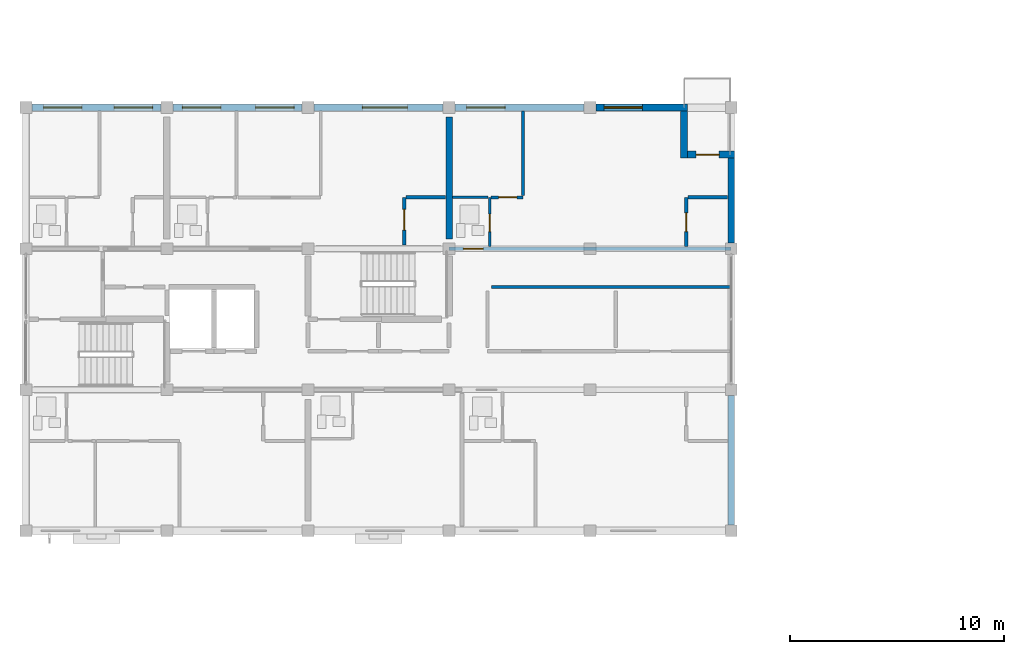
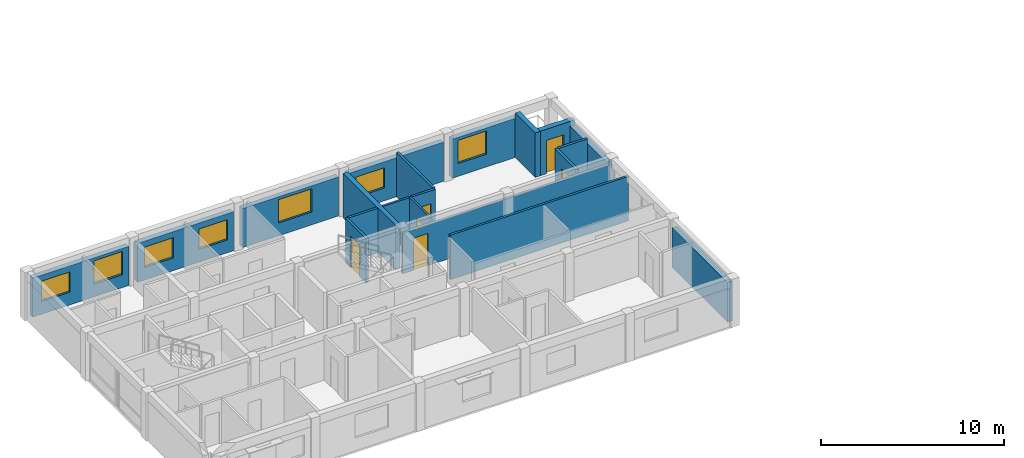
# One storey, part 36 of 53: 20 walls, 7 windows, 6 doors, 13 openings.
"""IFC4 building model written with IfcOpenShell, lengths in metres."""

from ifc_helpers import new_model, si_unit, direction, frame, frame_2d, origin, place, context, subcontext, project, spatial, rectangle, extrude, material, layer, layer_set, type_object, element, fill, save


model = new_model("IFC4")

# Units and contexts
model_context = context("Model", 3, precision=1e-05, world=origin(), true_north=direction((0.0, 1.0)))
body_context = subcontext(model_context, "Body", "Model", "MODEL_VIEW")
ifc_project = project(units=[si_unit("LENGTHUNIT", "METRE"), si_unit("AREAUNIT", "SQUARE_METRE"), si_unit("VOLUMEUNIT", "CUBIC_METRE"), si_unit("PLANEANGLEUNIT", "RADIAN"), si_unit("MASSUNIT", "GRAM", prefix="KILO")], contexts=[model_context])

# Site, building, storey
site_placement = place(None, origin())
site = spatial("IfcSite", under=ifc_project, at=site_placement, CompositionType="ELEMENT")
building_placement = place(site_placement, origin())
building = spatial("IfcBuilding", under=site, at=building_placement, Name="Kernevlak Ridge Housing Community", CompositionType="ELEMENT")
storey_placement = place(building_placement, frame((0.0, 0.0, 24.39990234375)))
storey = spatial("IfcBuildingStorey", under=building, at=storey_placement, Name="L07", CompositionType="ELEMENT", Elevation=24.39990234375)

# Wall, openings, windows
ifc_material_1 = material(Name="Concrete block masonry M10", Category="masonry")
ifc_layer_1 = layer(ifc_material_1, 0.320068359375, Name="Concrete block masonry M10")
ifc_layer_set_1 = layer_set([ifc_layer_1], Name="Concrete block masonry M10")
wall_type_1 = type_object("IfcWallType", Name="EW-02", PredefinedType="STANDARD", material=ifc_layer_set_1)
wall_1_placement = place(storey_placement, frame((15.875, 95.800048828125, 0.0), z_axis=(0.0, 0.0, 1.0), x_axis=(1.0, 0.0, 0.0)))
wall_1 = element("IfcWall", 1, at=wall_1_placement, inside=storey, type_object=wall_type_1, Name="Exterior wall EW-02 L07 114", PredefinedType="STANDARD", context=body_context, shape_type="SweptSolid", body=[
    extrude(rectangle(XDim=6.050048828125, YDim=0.320068359375, at=frame_2d((3.02490234375, 0.0))), origin(), (0.0, 0.0, 1.0), 2.60009765625),
])
opening_1_placement = place(wall_1_placement, frame((0.550048828125, 0.0, 0.85009765625)))
opening_1 = element("IfcOpeningElement", 2, at=opening_1_placement, cuts=wall_1, Name="Opening WT-03", PredefinedType="OPENING", context=body_context, shape_type="SweptSolid", body=[
    extrude(rectangle(XDim=1.800048828125, YDim=1.35009765625, at=frame_2d((0.89990234375, 0.675048828125))), frame((0.0, 0.169921875, 0.0), z_axis=(0.0, -1.0, 0.0), x_axis=(1.0, 0.0, 0.0)), (0.0, 0.0, 1.0), 0.340087890625),
])
opening_2_placement = place(wall_1_placement, frame((3.85009765625, 0.0, 0.85009765625)))
opening_2 = element("IfcOpeningElement", 3, at=opening_2_placement, cuts=wall_1, Name="Opening WT-04", PredefinedType="OPENING", context=body_context, shape_type="SweptSolid", body=[
    extrude(rectangle(XDim=1.800048828125, YDim=1.550048828125, at=frame_2d((0.89990234375, 0.77490234375))), frame((0.0, 0.169921875, 0.0), z_axis=(0.0, -1.0, 0.0), x_axis=(1.0, 0.0, 0.0)), (0.0, 0.0, 1.0), 0.340087890625),
])
ifc_material_2 = material(Name="Aluminium EN AW-6060 anodised and laminated glass", Category="aluminium")
window_type_1 = type_object("IfcWindowType", Name="WT-03", PartitioningType="SINGLE_PANEL", PredefinedType="WINDOW", material=ifc_material_2)
window_1_placement = place(opening_1_placement, origin())
window_1 = element("IfcWindow", 4, at=window_1_placement, inside=storey, type_object=window_type_1, Name="Window WT-03 L07 89", OverallHeight=1.35009765625, OverallWidth=1.800048828125, PartitioningType="SINGLE_PANEL", PredefinedType="WINDOW", context=body_context, shape_type="SweptSolid", body=[
    extrude(rectangle(XDim=1.800048828125, YDim=1.35009765625, at=frame_2d((0.89990234375, 0.675048828125))), frame((0.0, 0.030029296875, 0.0), z_axis=(0.0, -1.0, 0.0), x_axis=(1.0, 0.0, 0.0)), (0.0, 0.0, 1.0), 0.06005859375),
])
fill(opening_1, window_1)
window_type_2 = type_object("IfcWindowType", Name="WT-04", PartitioningType="SINGLE_PANEL", PredefinedType="WINDOW", material=ifc_material_2)
window_2_placement = place(opening_2_placement, origin())
window_2 = element("IfcWindow", 5, at=window_2_placement, inside=storey, type_object=window_type_2, Name="Window WT-04 L07 90", OverallHeight=1.550048828125, OverallWidth=1.800048828125, PartitioningType="SINGLE_PANEL", PredefinedType="WINDOW", context=body_context, shape_type="SweptSolid", body=[
    extrude(rectangle(XDim=1.800048828125, YDim=1.550048828125, at=frame_2d((0.89990234375, 0.77490234375))), frame((0.0, 0.030029296875, 0.0), z_axis=(0.0, -1.0, 0.0), x_axis=(1.0, 0.0, 0.0)), (0.0, 0.0, 1.0), 0.06005859375),
])
fill(opening_2, window_2)

wall_2_placement = place(storey_placement, frame((22.47509765625, 95.800048828125, 0.0), z_axis=(0.0, 0.0, 1.0), x_axis=(1.0, 0.0, 0.0)))
wall_2 = element("IfcWall", 6, at=wall_2_placement, inside=storey, type_object=wall_type_1, Name="Exterior wall EW-02 L07 115", PredefinedType="STANDARD", context=body_context, shape_type="SweptSolid", body=[
    extrude(rectangle(XDim=6.0498046875, YDim=0.320068359375, at=frame_2d((3.02490234375, 0.0))), origin(), (0.0, 0.0, 1.0), 2.60009765625),
])
opening_3_placement = place(wall_2_placement, frame((0.449951171875, 0.0, 0.85009765625)))
opening_3 = element("IfcOpeningElement", 7, at=opening_3_placement, cuts=wall_2, Name="Opening WT-03", PredefinedType="OPENING", context=body_context, shape_type="SweptSolid", body=[
    extrude(rectangle(XDim=1.800048828125, YDim=1.35009765625, at=frame_2d((0.89990234375, 0.675048828125))), frame((0.0, 0.169921875, 0.0), z_axis=(0.0, -1.0, 0.0), x_axis=(1.0, 0.0, 0.0)), (0.0, 0.0, 1.0), 0.340087890625),
])
opening_4_placement = place(wall_2_placement, frame((3.875, 0.0, 0.85009765625)))
opening_4 = element("IfcOpeningElement", 8, at=opening_4_placement, cuts=wall_2, Name="Opening WT-03", PredefinedType="OPENING", context=body_context, shape_type="SweptSolid", body=[
    extrude(rectangle(XDim=1.800048828125, YDim=1.35009765625, at=frame_2d((0.89990234375, 0.675048828125))), frame((0.0, 0.169921875, 0.0), z_axis=(0.0, -1.0, 0.0), x_axis=(1.0, 0.0, 0.0)), (0.0, 0.0, 1.0), 0.340087890625),
])
window_3_placement = place(opening_3_placement, origin())
window_3 = element("IfcWindow", 9, at=window_3_placement, inside=storey, type_object=window_type_1, Name="Window WT-03 L07 91", OverallHeight=1.35009765625, OverallWidth=1.800048828125, PartitioningType="SINGLE_PANEL", PredefinedType="WINDOW", context=body_context, shape_type="SweptSolid", body=[
    extrude(rectangle(XDim=1.800048828125, YDim=1.35009765625, at=frame_2d((0.89990234375, 0.675048828125))), frame((0.0, 0.030029296875, 0.0), z_axis=(0.0, -1.0, 0.0), x_axis=(1.0, 0.0, 0.0)), (0.0, 0.0, 1.0), 0.06005859375),
])
fill(opening_3, window_3)
window_4_placement = place(opening_4_placement, origin())
window_4 = element("IfcWindow", 10, at=window_4_placement, inside=storey, type_object=window_type_1, Name="Window WT-03 L07 92", OverallHeight=1.35009765625, OverallWidth=1.800048828125, PartitioningType="SINGLE_PANEL", PredefinedType="WINDOW", context=body_context, shape_type="SweptSolid", body=[
    extrude(rectangle(XDim=1.800048828125, YDim=1.35009765625, at=frame_2d((0.89990234375, 0.675048828125))), frame((0.0, 0.030029296875, 0.0), z_axis=(0.0, -1.0, 0.0), x_axis=(1.0, 0.0, 0.0)), (0.0, 0.0, 1.0), 0.06005859375),
])
fill(opening_4, window_4)

# Wall, opening, window
wall_3_placement = place(storey_placement, frame((29.074951171875, 95.800048828125, 0.0), z_axis=(0.0, 0.0, 1.0), x_axis=(1.0, 0.0, 0.0)))
wall_3 = element("IfcWall", 11, at=wall_3_placement, inside=storey, type_object=wall_type_1, Name="Exterior wall EW-02 L07 116", PredefinedType="STANDARD", context=body_context, shape_type="SweptSolid", body=[
    extrude(rectangle(XDim=6.050048828125, YDim=0.320068359375, at=frame_2d((3.02490234375, 0.0))), origin(), (0.0, 0.0, 1.0), 2.60009765625),
])
opening_5_placement = place(wall_3_placement, frame((2.27099609375, 0.0, 0.85009765625)))
opening_5 = element("IfcOpeningElement", 12, at=opening_5_placement, cuts=wall_3, Name="Opening WT-05", PredefinedType="OPENING", context=body_context, shape_type="SweptSolid", body=[
    extrude(rectangle(XDim=2.10009765625, YDim=1.550048828125, at=frame_2d((1.050048828125, 0.77490234375))), frame((0.0, 0.169921875, 0.0), z_axis=(0.0, -1.0, 0.0), x_axis=(1.0, 0.0, 0.0)), (0.0, 0.0, 1.0), 0.340087890625),
])
window_type_3 = type_object("IfcWindowType", Name="WT-05", PartitioningType="SINGLE_PANEL", PredefinedType="WINDOW", material=ifc_material_2)
window_5_placement = place(opening_5_placement, origin())
window_5 = element("IfcWindow", 13, at=window_5_placement, inside=storey, type_object=window_type_3, Name="Window WT-05 L07 93", OverallHeight=1.550048828125, OverallWidth=2.10009765625, PartitioningType="SINGLE_PANEL", PredefinedType="WINDOW", context=body_context, shape_type="SweptSolid", body=[
    extrude(rectangle(XDim=2.10009765625, YDim=1.550048828125, at=frame_2d((1.050048828125, 0.77490234375))), frame((0.0, 0.030029296875, 0.0), z_axis=(0.0, -1.0, 0.0), x_axis=(1.0, 0.0, 0.0)), (0.0, 0.0, 1.0), 0.06005859375),
])
fill(opening_5, window_5)

wall_4_placement = place(storey_placement, frame((35.675048828125, 95.800048828125, 0.0), z_axis=(0.0, 0.0, 1.0), x_axis=(1.0, 0.0, 0.0)))
wall_4 = element("IfcWall", 14, at=wall_4_placement, inside=storey, type_object=wall_type_1, Name="Exterior wall EW-02 L07 117", PredefinedType="STANDARD", context=body_context, shape_type="SweptSolid", body=[
    extrude(rectangle(XDim=6.050048828125, YDim=0.320068359375, at=frame_2d((3.02490234375, 0.0))), origin(), (0.0, 0.0, 1.0), 2.60009765625),
])
opening_6_placement = place(wall_4_placement, frame((0.550048828125, 0.0, 0.85009765625)))
opening_6 = element("IfcOpeningElement", 15, at=opening_6_placement, cuts=wall_4, Name="Opening WT-03", PredefinedType="OPENING", context=body_context, shape_type="SweptSolid", body=[
    extrude(rectangle(XDim=1.800048828125, YDim=1.35009765625, at=frame_2d((0.89990234375, 0.675048828125))), frame((0.0, 0.169921875, 0.0), z_axis=(0.0, -1.0, 0.0), x_axis=(1.0, 0.0, 0.0)), (0.0, 0.0, 1.0), 0.340087890625),
])
window_6_placement = place(opening_6_placement, origin())
window_6 = element("IfcWindow", 16, at=window_6_placement, inside=storey, type_object=window_type_1, Name="Window WT-03 L07 94", OverallHeight=1.35009765625, OverallWidth=1.800048828125, PartitioningType="SINGLE_PANEL", PredefinedType="WINDOW", context=body_context, shape_type="SweptSolid", body=[
    extrude(rectangle(XDim=1.800048828125, YDim=1.35009765625, at=frame_2d((0.89990234375, 0.675048828125))), frame((0.0, 0.030029296875, 0.0), z_axis=(0.0, -1.0, 0.0), x_axis=(1.0, 0.0, 0.0)), (0.0, 0.0, 1.0), 0.06005859375),
])
fill(opening_6, window_6)

wall_5_placement = place(storey_placement, frame((42.27490234375, 95.800048828125, 0.0), z_axis=(0.0, 0.0, 1.0), x_axis=(1.0, 0.0, 0.0)))
wall_5 = element("IfcWall", 17, at=wall_5_placement, inside=storey, type_object=wall_type_1, Name="Exterior wall EW-02 L07 118", PredefinedType="STANDARD", context=body_context, shape_type="SweptSolid", body=[
    extrude(rectangle(XDim=4.28515625, YDim=0.320068359375, at=frame_2d((2.142578125, 0.0))), origin(), (0.0, 0.0, 1.0), 2.60009765625),
])
opening_7_placement = place(wall_5_placement, frame((0.375, 0.0, 0.85009765625)))
opening_7 = element("IfcOpeningElement", 18, at=opening_7_placement, cuts=wall_5, Name="Opening WT-04", PredefinedType="OPENING", context=body_context, shape_type="SweptSolid", body=[
    extrude(rectangle(XDim=1.800048828125, YDim=1.550048828125, at=frame_2d((0.89990234375, 0.77490234375))), frame((0.0, 0.169921875, 0.0), z_axis=(0.0, -1.0, 0.0), x_axis=(1.0, 0.0, 0.0)), (0.0, 0.0, 1.0), 0.340087890625),
])
window_7_placement = place(opening_7_placement, origin())
window_7 = element("IfcWindow", 19, at=window_7_placement, inside=storey, type_object=window_type_2, Name="Window WT-04 L07 95", OverallHeight=1.550048828125, OverallWidth=1.800048828125, PartitioningType="SINGLE_PANEL", PredefinedType="WINDOW", context=body_context, shape_type="SweptSolid", body=[
    extrude(rectangle(XDim=1.800048828125, YDim=1.550048828125, at=frame_2d((0.89990234375, 0.77490234375))), frame((0.0, 0.030029296875, 0.0), z_axis=(0.0, -1.0, 0.0), x_axis=(1.0, 0.0, 0.0)), (0.0, 0.0, 1.0), 0.06005859375),
])
fill(opening_7, window_7)

# Wall
wall_6_placement = place(storey_placement, frame((46.39990234375, 95.639892578125, 0.0), z_axis=(0.0, 0.0, 1.0), x_axis=(0.0, -1.0, 0.0)))
element("IfcWall", 20, at=wall_6_placement, inside=storey, type_object=wall_type_1, Name="Exterior wall EW-02 L07 119", PredefinedType="STANDARD", context=body_context, shape_type="SweptSolid", body=[
    extrude(rectangle(XDim=2.199951171875, YDim=0.320068359375, at=frame_2d((1.10009765625, 0.0))), origin(), (0.0, 0.0, 1.0), 2.97021484375),
])

# Wall, opening, door
wall_7_placement = place(storey_placement, frame((46.56005859375, 93.60009765625, 0.0), z_axis=(0.0, 0.0, 1.0), x_axis=(1.0, 0.0, 0.0)))
wall_7 = element("IfcWall", 21, at=wall_7_placement, inside=storey, type_object=wall_type_1, Name="Exterior wall EW-02 L07 120", PredefinedType="STANDARD", context=body_context, shape_type="SweptSolid", body=[
    extrude(rectangle(XDim=2.199951171875, YDim=0.320068359375, at=frame_2d((1.10009765625, 0.0))), origin(), (0.0, 0.0, 1.0), 2.97021484375),
])
opening_8_placement = place(wall_7_placement, frame((0.39990234375, 0.0, 0.0)))
opening_8 = element("IfcOpeningElement", 22, at=opening_8_placement, cuts=wall_7, Name="Opening D254", PredefinedType="OPENING", context=body_context, shape_type="SweptSolid", body=[
    extrude(rectangle(XDim=1.080078125, YDim=2.219970703125, at=frame_2d((0.5400390625, 1.10986328125))), frame((0.0, 0.169921875, 0.0), z_axis=(0.0, -1.0, 0.0), x_axis=(1.0, 0.0, 0.0)), (0.0, 0.0, 1.0), 0.340087890625),
])
ifc_material_3 = material(Name="Aluminium EN AW-6060 and laminated safety glass", Category="aluminium")
door_type_1 = type_object("IfcDoorType", Name="DT-34", OperationType="NOTDEFINED", PredefinedType="DOOR", material=ifc_material_3)
door_1_placement = place(opening_8_placement, origin())
door_1 = element("IfcDoor", 23, at=door_1_placement, inside=storey, type_object=door_type_1, Name="Flat A0723 corner balcony glazed door D254", OperationType="SINGLE_SWING_RIGHT", OverallHeight=2.219970703125, OverallWidth=1.080078125, PredefinedType="DOOR", context=body_context, shape_type="SweptSolid", body=[
    extrude(rectangle(XDim=1.080078125, YDim=2.219970703125, at=frame_2d((0.5400390625, 1.10986328125))), frame((0.0, 0.02490234375, 0.0), z_axis=(0.0, -1.0, 0.0), x_axis=(1.0, 0.0, 0.0)), (0.0, 0.0, 1.0), 0.050048828125),
])
fill(opening_8, door_1)

# Walls
wall_8_placement = place(storey_placement, frame((48.60009765625, 76.27490234375, 0.0), z_axis=(0.0, 0.0, 1.0), x_axis=(0.0, 1.0, 0.0)))
element("IfcWall", 24, at=wall_8_placement, inside=storey, type_object=wall_type_1, Name="Exterior wall EW-02 L07 123", PredefinedType="STANDARD", context=body_context, shape_type="SweptSolid", body=[
    extrude(rectangle(XDim=6.050048828125, YDim=0.320068359375, at=frame_2d((3.02490234375, 0.0))), origin(), (0.0, 0.0, 1.0), 2.650146484375),
])
wall_9_placement = place(storey_placement, frame((48.60009765625, 89.47509765625, 0.0), z_axis=(0.0, 0.0, 1.0), x_axis=(0.0, 1.0, 0.0)))
element("IfcWall", 25, at=wall_9_placement, inside=storey, type_object=wall_type_1, Name="Exterior wall EW-02 L07 124", PredefinedType="STANDARD", context=body_context, shape_type="SweptSolid", body=[
    extrude(rectangle(XDim=3.96484375, YDim=0.320068359375, at=frame_2d((1.982421875, 0.0))), origin(), (0.0, 0.0, 1.0), 2.650146484375),
])

# Wall, opening, door
ifc_layer_2 = layer(ifc_material_1, 0.175048828125, Name="Concrete block masonry M10")
ifc_layer_set_2 = layer_set([ifc_layer_2], Name="Concrete block masonry M10")
wall_type_2 = type_object("IfcWallType", Name="PW-02", PredefinedType="PARTITIONING", material=ifc_layer_set_2)
wall_10_placement = place(storey_placement, frame((35.39990234375, 89.199951171875, 0.0), z_axis=(0.0, 0.0, 1.0), x_axis=(1.0, 0.0, 0.0)))
wall_10 = element("IfcWall", 26, at=wall_10_placement, inside=storey, type_object=wall_type_2, Name="Interior wall PW-02 WAL-INT-L07-0497", PredefinedType="PARTITIONING", context=body_context, shape_type="SweptSolid", body=[
    extrude(rectangle(XDim=13.2001953125, YDim=0.175048828125, at=frame_2d((6.60009765625, 0.0))), origin(), (0.0, 0.0, 1.0), 2.7001953125),
])
opening_9_placement = place(wall_10_placement, frame((0.669921875, 0.0, 0.0)))
opening_9 = element("IfcOpeningElement", 27, at=opening_9_placement, cuts=wall_10, Name="Opening D250", PredefinedType="OPENING", context=body_context, shape_type="SweptSolid", body=[
    extrude(rectangle(XDim=0.919921875, YDim=2.139892578125, at=frame_2d((0.4599609375, 1.06982421875))), frame((0.0, 0.097412109375, 0.0), z_axis=(0.0, -1.0, 0.0), x_axis=(1.0, 0.0, 0.0)), (0.0, 0.0, 1.0), 0.195068359375),
])
ifc_material_4 = material(Name="Hardwood timber solid-core fire leaf", Category="wood")
door_type_2 = type_object("IfcDoorType", Name="DT-20", OperationType="NOTDEFINED", PredefinedType="DOOR", material=ifc_material_4)
door_2_placement = place(opening_9_placement, origin())
door_2 = element("IfcDoor", 28, at=door_2_placement, inside=storey, type_object=door_type_2, Name="Flat A0723 entrance fire door D250", OperationType="SINGLE_SWING_RIGHT", OverallHeight=2.139892578125, OverallWidth=0.919921875, PredefinedType="DOOR", context=body_context, shape_type="SweptSolid", body=[
    extrude(rectangle(XDim=0.919921875, YDim=2.139892578125, at=frame_2d((0.4599609375, 1.06982421875))), frame((0.0, 0.02490234375, 0.0), z_axis=(0.0, -1.0, 0.0), x_axis=(1.0, 0.0, 0.0)), (0.0, 0.0, 1.0), 0.050048828125),
])
fill(opening_9, door_2)

# Wall
ifc_layer_3 = layer(ifc_material_1, 0.14501953125, Name="Concrete block masonry M10")
ifc_layer_set_3 = layer_set([ifc_layer_3], Name="Concrete block masonry M10")
wall_type_3 = type_object("IfcWallType", Name="PW-03", PredefinedType="PARTITIONING", material=ifc_layer_set_3)
wall_11_placement = place(storey_placement, frame((37.3798828125, 87.39990234375, 0.0), z_axis=(0.0, 0.0, 1.0), x_axis=(1.0, 0.0, 0.0)))
element("IfcWall", 29, at=wall_11_placement, inside=storey, type_object=wall_type_3, Name="Interior wall PW-03 WAL-INT-L07-0458", PredefinedType="PARTITIONING", context=body_context, shape_type="SweptSolid", body=[
    extrude(rectangle(XDim=11.2001953125, YDim=0.14501953125, at=frame_2d((5.60009765625, 0.0))), origin(), (0.0, 0.0, 1.0), 2.97021484375),
])

# Wall, opening, door
wall_12_placement = place(storey_placement, frame((37.37255859375, 91.60009765625, 0.0), z_axis=(0.0, 0.0, 1.0), x_axis=(1.0, 0.0, 0.0)))
wall_12 = element("IfcWall", 30, at=wall_12_placement, inside=storey, type_object=wall_type_3, Name="Interior wall PW-03 WAL-INT-L07-0502", PredefinedType="PARTITIONING", context=body_context, shape_type="SweptSolid", body=[
    extrude(rectangle(XDim=1.4775390625, YDim=0.14501953125, at=frame_2d((0.73876953125, 0.0))), origin(), (0.0, 0.0, 1.0), 2.97021484375),
])
opening_10_placement = place(wall_12_placement, frame((0.35009765625, 0.0, 0.0)))
opening_10 = element("IfcOpeningElement", 31, at=opening_10_placement, cuts=wall_12, Name="Opening D253", PredefinedType="OPENING", context=body_context, shape_type="SweptSolid", body=[
    extrude(rectangle(XDim=0.85009765625, YDim=2.10009765625, at=frame_2d((0.425048828125, 1.050048828125))), frame((0.0, 0.08251953125, 0.0), z_axis=(0.0, -1.0, 0.0), x_axis=(1.0, 0.0, 0.0)), (0.0, 0.0, 1.0), 0.1650390625),
])
ifc_material_5 = material(Name="Hardwood timber leaf", Category="wood")
door_type_3 = type_object("IfcDoorType", Name="DT-03", OperationType="NOTDEFINED", PredefinedType="DOOR", material=ifc_material_5)
door_3_placement = place(opening_10_placement, origin())
door_3 = element("IfcDoor", 32, at=door_3_placement, inside=storey, type_object=door_type_3, Name="Flat A0723 bedroom door D253", OperationType="SINGLE_SWING_LEFT", OverallHeight=2.10009765625, OverallWidth=0.85009765625, PredefinedType="DOOR", context=body_context, shape_type="SweptSolid", body=[
    extrude(rectangle(XDim=0.85009765625, YDim=2.10009765625, at=frame_2d((0.425048828125, 1.050048828125))), frame((0.0, 0.02490234375, 0.0), z_axis=(0.0, -1.0, 0.0), x_axis=(1.0, 0.0, 0.0)), (0.0, 0.0, 1.0), 0.050048828125),
])
fill(opening_10, door_3)

# Wall
wall_13_placement = place(storey_placement, frame((38.85009765625, 91.6826171875, 0.0), z_axis=(0.0, 0.0, 1.0), x_axis=(0.0, 1.0, 0.0)))
element("IfcWall", 33, at=wall_13_placement, inside=storey, type_object=wall_type_3, Name="Interior wall PW-03 WAL-INT-L07-0503", PredefinedType="PARTITIONING", context=body_context, shape_type="SweptSolid", body=[
    extrude(rectangle(XDim=3.947265625, YDim=0.14501953125, at=frame_2d((1.9736328125, 0.0))), origin(), (0.0, 0.0, 1.0), 2.97021484375),
])

# Wall, opening, door
ifc_material_6 = material(Name="Gypsum plasterboard EN 520", Category="gypsum")
ifc_layer_4 = layer(ifc_material_6, 0.125, Name="Gypsum plasterboard EN 520")
ifc_layer_set_4 = layer_set([ifc_layer_4], Name="Gypsum plasterboard EN 520")
wall_type_4 = type_object("IfcWallType", Name="PW-04", PredefinedType="PARTITIONING", material=ifc_layer_set_4)
wall_14_placement = place(storey_placement, frame((37.300048828125, 89.297607421875, 0.0), z_axis=(0.0, 0.0, 1.0), x_axis=(0.0, 1.0, 0.0)))
wall_14 = element("IfcWall", 34, at=wall_14_placement, inside=storey, type_object=wall_type_4, Name="Interior wall PW-04 WAL-INT-L07-0498", PredefinedType="PARTITIONING", context=body_context, shape_type="SweptSolid", body=[
    extrude(rectangle(XDim=2.302490234375, YDim=0.125, at=frame_2d((1.1513671875, 0.0))), origin(), (0.0, 0.0, 1.0), 2.97021484375),
])
opening_11_placement = place(wall_14_placement, frame((0.699951171875, 0.0, 0.0)))
opening_11 = element("IfcOpeningElement", 35, at=opening_11_placement, cuts=wall_14, Name="Opening D251", PredefinedType="OPENING", context=body_context, shape_type="SweptSolid", body=[
    extrude(rectangle(XDim=0.820068359375, YDim=2.050048828125, at=frame_2d((0.41015625, 1.02490234375))), frame((0.0, 0.072509765625, 0.0), z_axis=(0.0, -1.0, 0.0), x_axis=(1.0, 0.0, 0.0)), (0.0, 0.0, 1.0), 0.14501953125),
])
ifc_material_7 = material(Name="Hardwood timber moisture-resistant leaf", Category="wood")
door_type_4 = type_object("IfcDoorType", Name="DT-30", OperationType="NOTDEFINED", PredefinedType="DOOR", material=ifc_material_7)
door_4_placement = place(opening_11_placement, origin())
door_4 = element("IfcDoor", 36, at=door_4_placement, inside=storey, type_object=door_type_4, Name="Flat A0723 bathroom door D251", OperationType="SINGLE_SWING_LEFT", OverallHeight=2.050048828125, OverallWidth=0.820068359375, PredefinedType="DOOR", context=body_context, shape_type="SweptSolid", body=[
    extrude(rectangle(XDim=0.820068359375, YDim=2.050048828125, at=frame_2d((0.41015625, 1.02490234375))), frame((0.0, 0.02490234375, 0.0), z_axis=(0.0, -1.0, 0.0), x_axis=(1.0, 0.0, 0.0)), (0.0, 0.0, 1.0), 0.050048828125),
])
fill(opening_11, door_4)

# Wall
wall_15_placement = place(storey_placement, frame((35.56005859375, 91.60009765625, 0.0), z_axis=(0.0, 0.0, 1.0), x_axis=(1.0, 0.0, 0.0)))
element("IfcWall", 37, at=wall_15_placement, inside=storey, type_object=wall_type_4, Name="Interior wall PW-04 WAL-INT-L07-0499", PredefinedType="PARTITIONING", context=body_context, shape_type="SweptSolid", body=[
    extrude(rectangle(XDim=1.659912109375, YDim=0.125, at=frame_2d((0.830078125, 0.0))), origin(), (0.0, 0.0, 1.0), 2.97021484375),
])

# Wall, opening, door
ifc_layer_5 = layer(ifc_material_6, 0.155029296875, Name="Gypsum plasterboard EN 520")
ifc_layer_set_5 = layer_set([ifc_layer_5], Name="Gypsum plasterboard EN 520")
wall_type_5 = type_object("IfcWallType", Name="PW-05", PredefinedType="PARTITIONING", material=ifc_layer_set_5)
wall_16_placement = place(storey_placement, frame((33.300048828125, 89.360107421875, 0.0), z_axis=(0.0, 0.0, 1.0), x_axis=(0.0, 1.0, 0.0)))
wall_16 = element("IfcWall", 38, at=wall_16_placement, inside=storey, type_object=wall_type_5, Name="Interior wall PW-05 WAL-INT-L07-0491", PredefinedType="PARTITIONING", context=body_context, shape_type="SweptSolid", body=[
    extrude(rectangle(XDim=2.239990234375, YDim=0.155029296875, at=frame_2d((1.1201171875, 0.0))), origin(), (0.0, 0.0, 1.0), 2.97021484375),
])
opening_12_placement = place(wall_16_placement, frame((0.699951171875, 0.0, 0.0)))
opening_12 = element("IfcOpeningElement", 39, at=opening_12_placement, cuts=wall_16, Name="Opening D247", PredefinedType="OPENING", context=body_context, shape_type="SweptSolid", body=[
    extrude(rectangle(XDim=0.97998046875, YDim=2.1201171875, at=frame_2d((0.489990234375, 1.06005859375))), frame((0.0, 0.08740234375, 0.0), z_axis=(0.0, -1.0, 0.0), x_axis=(1.0, 0.0, 0.0)), (0.0, 0.0, 1.0), 0.175048828125),
])
door_type_5 = type_object("IfcDoorType", Name="DT-24", OperationType="NOTDEFINED", PredefinedType="DOOR", material=ifc_material_5)
door_5_placement = place(opening_12_placement, origin())
door_5 = element("IfcDoor", 40, at=door_5_placement, inside=storey, type_object=door_type_5, Name="Flat A0722 kitchen door D247", OperationType="SINGLE_SWING_LEFT", OverallHeight=2.1201171875, OverallWidth=0.97998046875, PredefinedType="DOOR", context=body_context, shape_type="SweptSolid", body=[
    extrude(rectangle(XDim=0.97998046875, YDim=2.1201171875, at=frame_2d((0.489990234375, 1.06005859375))), frame((0.0, 0.02490234375, 0.0), z_axis=(0.0, -1.0, 0.0), x_axis=(1.0, 0.0, 0.0)), (0.0, 0.0, 1.0), 0.050048828125),
])
fill(opening_12, door_5)

# Wall
wall_17_placement = place(storey_placement, frame((33.387451171875, 91.60009765625, 0.0), z_axis=(0.0, 0.0, 1.0), x_axis=(1.0, 0.0, 0.0)))
element("IfcWall", 41, at=wall_17_placement, inside=storey, type_object=wall_type_5, Name="Interior wall PW-05 WAL-INT-L07-0492", PredefinedType="PARTITIONING", context=body_context, shape_type="SweptSolid", body=[
    extrude(rectangle(XDim=1.8525390625, YDim=0.155029296875, at=frame_2d((0.92626953125, 0.0))), origin(), (0.0, 0.0, 1.0), 2.97021484375),
])

# Wall, opening, door
wall_18_placement = place(storey_placement, frame((46.5, 89.297607421875, 0.0), z_axis=(0.0, 0.0, 1.0), x_axis=(0.0, 1.0, 0.0)))
wall_18 = element("IfcWall", 42, at=wall_18_placement, inside=storey, type_object=wall_type_5, Name="Interior wall PW-05 WAL-INT-L07-0500", PredefinedType="PARTITIONING", context=body_context, shape_type="SweptSolid", body=[
    extrude(rectangle(XDim=2.302490234375, YDim=0.155029296875, at=frame_2d((1.1513671875, 0.0))), origin(), (0.0, 0.0, 1.0), 2.97021484375),
])
opening_13_placement = place(wall_18_placement, frame((0.699951171875, 0.0, 0.0)))
opening_13 = element("IfcOpeningElement", 43, at=opening_13_placement, cuts=wall_18, Name="Opening D252", PredefinedType="OPENING", context=body_context, shape_type="SweptSolid", body=[
    extrude(rectangle(XDim=0.8701171875, YDim=2.080078125, at=frame_2d((0.43505859375, 1.0400390625))), frame((0.0, 0.08740234375, 0.0), z_axis=(0.0, -1.0, 0.0), x_axis=(1.0, 0.0, 0.0)), (0.0, 0.0, 1.0), 0.175048828125),
])
door_type_6 = type_object("IfcDoorType", Name="DT-32", OperationType="NOTDEFINED", PredefinedType="DOOR", material=ifc_material_5)
door_6_placement = place(opening_13_placement, origin())
door_6 = element("IfcDoor", 44, at=door_6_placement, inside=storey, type_object=door_type_6, Name="Flat A0723 kitchen door D252", OperationType="SINGLE_SWING_RIGHT", OverallHeight=2.080078125, OverallWidth=0.8701171875, PredefinedType="DOOR", context=body_context, shape_type="SweptSolid", body=[
    extrude(rectangle(XDim=0.8701171875, YDim=2.080078125, at=frame_2d((0.43505859375, 1.0400390625))), frame((0.0, 0.02490234375, 0.0), z_axis=(0.0, -1.0, 0.0), x_axis=(1.0, 0.0, 0.0)), (0.0, 0.0, 1.0), 0.050048828125),
])
fill(opening_13, door_6)

# Walls
wall_19_placement = place(storey_placement, frame((46.58740234375, 91.60009765625, 0.0), z_axis=(0.0, 0.0, 1.0), x_axis=(1.0, 0.0, 0.0)))
element("IfcWall", 45, at=wall_19_placement, inside=storey, type_object=wall_type_5, Name="Interior wall PW-05 WAL-INT-L07-0501", PredefinedType="PARTITIONING", context=body_context, shape_type="SweptSolid", body=[
    extrude(rectangle(XDim=1.842529296875, YDim=0.155029296875, at=frame_2d((0.92138671875, 0.0))), origin(), (0.0, 0.0, 1.0), 2.97021484375),
])
ifc_material_8 = material(Name="Concrete C40/50", Category="concrete")
ifc_layer_6 = layer(ifc_material_8, 0.300048828125, Name="Concrete C40/50")
ifc_layer_set_6 = layer_set([ifc_layer_6], Name="Concrete C40/50")
wall_type_6 = type_object("IfcWallType", Name="SW-02", PredefinedType="SHEAR", material=ifc_layer_set_6)
wall_20_placement = place(storey_placement, frame((35.39990234375, 89.64990234375, 0.0), z_axis=(0.0, 0.0, 1.0), x_axis=(0.0, 1.0, 0.0)))
element("IfcWall", 46, at=wall_20_placement, inside=storey, type_object=wall_type_6, Name="Shear wall SW-02 Block A L07 90", PredefinedType="SHEAR", context=body_context, shape_type="SweptSolid", body=[
    extrude(rectangle(XDim=5.7001953125, YDim=0.300048828125, at=frame_2d((2.85009765625, 0.0))), origin(), (0.0, 0.0, 1.0), 2.97021484375),
])

save(model, "model.ifc")
